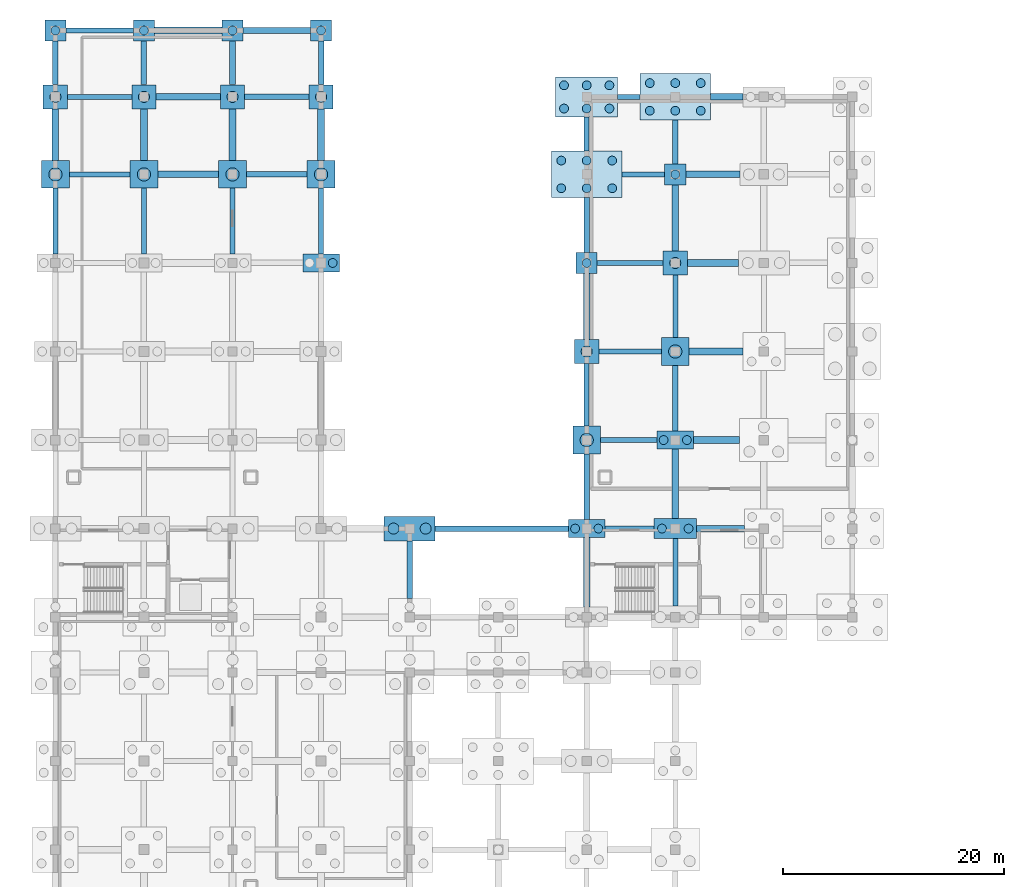
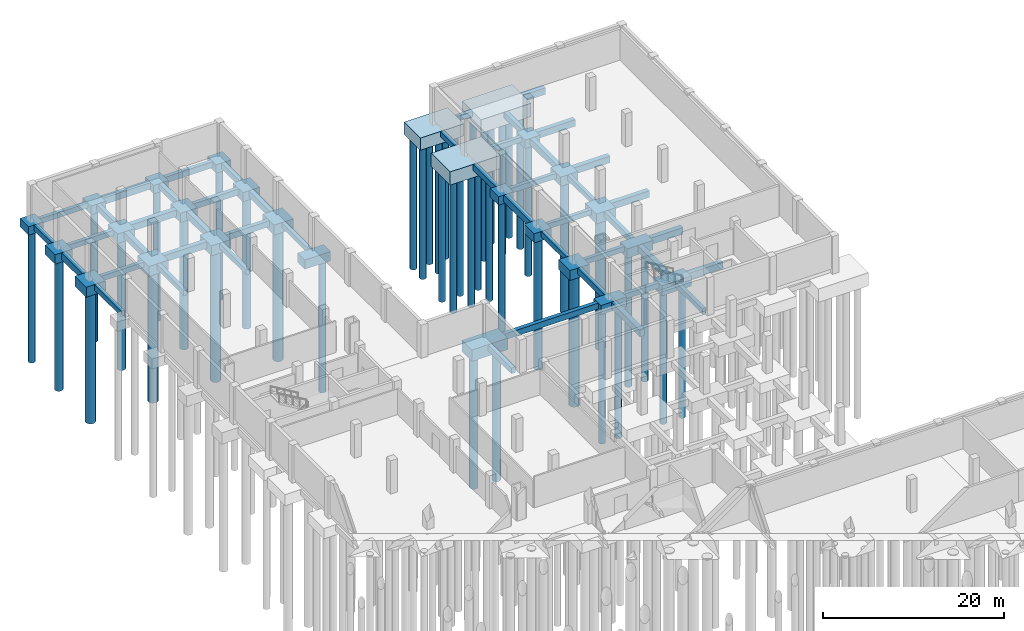
# One storey, part 7 of 26: 73 footings, 45 piles.
"""IFC4 building model written with IfcOpenShell, lengths in metres."""

from ifc_helpers import new_model, si_unit, direction, frame, origin, origin_2d, place, context, subcontext, project, spatial, rectangle, circle, extrude, material, layer, layer_set, material_profile, profile_set, type_object, element, save


model = new_model("IFC4")

# Units and contexts
model_context = context("Model", 3, precision=1e-05, world=origin(), true_north=direction((0.0, 1.0)))
body_context = subcontext(model_context, "Body", "Model", "MODEL_VIEW")
ifc_project = project(units=[si_unit("LENGTHUNIT", "METRE"), si_unit("AREAUNIT", "SQUARE_METRE"), si_unit("VOLUMEUNIT", "CUBIC_METRE"), si_unit("PLANEANGLEUNIT", "RADIAN"), si_unit("MASSUNIT", "GRAM", prefix="KILO")], contexts=[model_context])

# Site, building, storey
site_placement = place(None, origin())
site = spatial("IfcSite", under=ifc_project, at=site_placement, CompositionType="ELEMENT")
building_placement = place(site_placement, origin())
building = spatial("IfcBuilding", under=site, at=building_placement, Name="Qorikala Patio Media Centre", CompositionType="ELEMENT")
storey_placement = place(building_placement, frame((0.0, 0.0, -4.5)))
storey = spatial("IfcBuildingStorey", under=building, at=storey_placement, Name="B1", CompositionType="ELEMENT", Elevation=-4.5)

# Footings
ifc_material = material(Name="Concrete C30/37", Category="concrete")
ifc_material_profile_1 = material_profile(ifc_material, rectangle(XDim=0.449951171875, YDim=0.699951171875, at=origin_2d()), Name="RC 450x700")
ifc_profile_set_1 = profile_set([ifc_material_profile_1], Name="Concrete C30/37")
footing_type_1 = type_object("IfcFootingType", Name="GB-450X700", PredefinedType="FOOTING_BEAM", material=ifc_profile_set_1)
footing_1_placement = place(storey_placement, frame((52.64990234375, 72.0, -0.949951171875), z_axis=(1.0, 0.0, 0.0), x_axis=(0.0, 1.0, 0.0)))
element("IfcFooting", 1, at=footing_1_placement, inside=storey, type_object=footing_type_1, Name="Ground Tie Beam X-131", PredefinedType="FOOTING_BEAM", context=body_context, shape_type="SweptSolid", body=[
    extrude(rectangle(XDim=0.449951171875, YDim=0.699951171875, at=origin_2d()), origin(), (0.0, 0.0, 1.0), 4.4501953125),
])
footing_2_placement = place(storey_placement, frame((52.25, 80.0, -0.949951171875), z_axis=(1.0, 0.0, 0.0), x_axis=(0.0, 1.0, 0.0)))
element("IfcFooting", 2, at=footing_2_placement, inside=storey, type_object=footing_type_1, Name="Ground Tie Beam X-137", PredefinedType="FOOTING_BEAM", context=body_context, shape_type="SweptSolid", body=[
    extrude(rectangle(XDim=0.449951171875, YDim=0.699951171875, at=origin_2d()), origin(), (0.0, 0.0, 1.0), 5.10009765625),
])
footing_3_placement = place(storey_placement, frame((52.10009765625, 88.0, -0.949951171875), z_axis=(1.0, 0.0, 0.0), x_axis=(0.0, 1.0, 0.0)))
element("IfcFooting", 3, at=footing_3_placement, inside=storey, type_object=footing_type_1, Name="Ground Tie Beam X-143", PredefinedType="FOOTING_BEAM", context=body_context, shape_type="SweptSolid", body=[
    extrude(rectangle(XDim=0.449951171875, YDim=0.699951171875, at=origin_2d()), origin(), (0.0, 0.0, 1.0), 5.64990234375),
])
footing_4_placement = place(storey_placement, frame((51.949951171875, 96.0, -0.949951171875), z_axis=(1.0, 0.0, 0.0), x_axis=(0.0, 1.0, 0.0)))
element("IfcFooting", 4, at=footing_4_placement, inside=storey, type_object=footing_type_1, Name="Ground Tie Beam X-149", PredefinedType="FOOTING_BEAM", context=body_context, shape_type="SweptSolid", body=[
    extrude(rectangle(XDim=0.449951171875, YDim=0.699951171875, at=origin_2d()), origin(), (0.0, 0.0, 1.0), 5.949951171875),
])
footing_5_placement = place(storey_placement, frame((4.25, 104.0, -0.949951171875), z_axis=(1.0, 0.0, 0.0), x_axis=(0.0, 1.0, 0.0)))
element("IfcFooting", 5, at=footing_5_placement, inside=storey, type_object=footing_type_1, Name="Ground Tie Beam X-152", PredefinedType="FOOTING_BEAM", context=body_context, shape_type="SweptSolid", body=[
    extrude(rectangle(XDim=0.449951171875, YDim=0.699951171875, at=origin_2d()), origin(), (0.0, 0.0, 1.0), 5.5),
])
footing_6_placement = place(storey_placement, frame((54.199951171875, 104.0, -0.949951171875), z_axis=(1.0, 0.0, 0.0), x_axis=(0.0, 1.0, 0.0)))
element("IfcFooting", 6, at=footing_6_placement, inside=storey, type_object=footing_type_1, Name="Ground Tie Beam X-155", PredefinedType="FOOTING_BEAM", context=body_context, shape_type="SweptSolid", body=[
    extrude(rectangle(XDim=0.449951171875, YDim=0.699951171875, at=origin_2d()), origin(), (0.0, 0.0, 1.0), 3.85009765625),
])
footing_7_placement = place(storey_placement, frame((4.10009765625, 111.0, -0.949951171875), z_axis=(1.0, 0.0, 0.0), x_axis=(0.0, 1.0, 0.0)))
element("IfcFooting", 7, at=footing_7_placement, inside=storey, type_object=footing_type_1, Name="Ground Tie Beam X-158", PredefinedType="FOOTING_BEAM", context=body_context, shape_type="SweptSolid", body=[
    extrude(rectangle(XDim=0.449951171875, YDim=0.699951171875, at=origin_2d()), origin(), (0.0, 0.0, 1.0), 5.7998046875),
])
footing_8_placement = place(storey_placement, frame((53.800048828125, 111.0, -0.949951171875), z_axis=(1.0, 0.0, 0.0), x_axis=(0.0, 1.0, 0.0)))
element("IfcFooting", 8, at=footing_8_placement, inside=storey, type_object=footing_type_1, Name="Ground Tie Beam X-161", PredefinedType="FOOTING_BEAM", context=body_context, shape_type="SweptSolid", body=[
    extrude(rectangle(XDim=0.449951171875, YDim=0.699951171875, at=origin_2d()), origin(), (0.0, 0.0, 1.0), 2.0),
])
footing_9_placement = place(storey_placement, frame((3.949951171875, 117.0, -0.949951171875), z_axis=(1.0, 0.0, 0.0), x_axis=(0.0, 1.0, 0.0)))
element("IfcFooting", 9, at=footing_9_placement, inside=storey, type_object=footing_type_1, Name="Ground Tie Beam X-164", PredefinedType="FOOTING_BEAM", context=body_context, shape_type="SweptSolid", body=[
    extrude(rectangle(XDim=0.449951171875, YDim=0.699951171875, at=origin_2d()), origin(), (0.0, 0.0, 1.0), 6.10009765625),
])
for number, where, z_axis, x_axis, name in (
    (10, (3.0, 96.800048828125, -0.949951171875), (0.0, 1.0, 0.0), (-1.0, 0.0, 0.0), "Ground Tie Beam Y-179"),
    (11, (11.0, 96.800048828125, -0.949951171875), (0.0, 1.0, 0.0), (-1.0, 0.0, 0.0), "Ground Tie Beam Y-194"),
    (12, (19.0, 96.800048828125, -0.949951171875), (0.0, 1.0, 0.0), (-1.0, 0.0, 0.0), "Ground Tie Beam Y-209"),
    (13, (27.0, 96.800048828125, -0.949951171875), (0.0, 1.0, 0.0), (-1.0, 0.0, 0.0), "Ground Tie Beam Y-224"),
):
    element("IfcFooting", number, at=place(storey_placement, frame(where, z_axis=z_axis, x_axis=x_axis)), inside=storey, type_object=footing_type_1, Name=name, PredefinedType="FOOTING_BEAM", context=body_context, shape_type="SweptSolid", body=[
        extrude(rectangle(XDim=0.449951171875, YDim=0.699951171875, at=origin_2d()), origin(), (0.0, 0.0, 1.0), 5.949951171875),
    ])
footing_10_placement = place(storey_placement, frame((51.0, 81.25, -0.949951171875), z_axis=(0.0, 1.0, 0.0), x_axis=(-1.0, 0.0, 0.0)))
element("IfcFooting", 14, at=footing_10_placement, inside=storey, type_object=footing_type_1, Name="Ground Tie Beam Y-254", PredefinedType="FOOTING_BEAM", context=body_context, shape_type="SweptSolid", body=[
    extrude(rectangle(XDim=0.449951171875, YDim=0.699951171875, at=origin_2d()), origin(), (0.0, 0.0, 1.0), 5.64990234375),
])
footing_11_placement = place(storey_placement, frame((51.0, 106.10009765625, -0.949951171875), z_axis=(0.0, 1.0, 0.0), x_axis=(-1.0, 0.0, 0.0)))
element("IfcFooting", 15, at=footing_11_placement, inside=storey, type_object=footing_type_1, Name="Ground Tie Beam Y-257", PredefinedType="FOOTING_BEAM", context=body_context, shape_type="SweptSolid", body=[
    extrude(rectangle(XDim=0.449951171875, YDim=0.699951171875, at=origin_2d()), origin(), (0.0, 0.0, 1.0), 3.099853515625),
])
footing_12_placement = place(storey_placement, frame((59.0, 65.0, -0.949951171875), z_axis=(0.0, 1.0, 0.0), x_axis=(-1.0, 0.0, 0.0)))
element("IfcFooting", 16, at=footing_12_placement, inside=storey, type_object=footing_type_1, Name="Ground Tie Beam Y-266", PredefinedType="FOOTING_BEAM", context=body_context, shape_type="SweptSolid", body=[
    extrude(rectangle(XDim=0.449951171875, YDim=0.699951171875, at=origin_2d()), origin(), (0.0, 0.0, 1.0), 6.10009765625),
])
footing_13_placement = place(storey_placement, frame((59.0, 89.25, -0.949951171875), z_axis=(0.0, 1.0, 0.0), x_axis=(-1.0, 0.0, 0.0)))
element("IfcFooting", 17, at=footing_13_placement, inside=storey, type_object=footing_type_1, Name="Ground Tie Beam Y-269", PredefinedType="FOOTING_BEAM", context=body_context, shape_type="SweptSolid", body=[
    extrude(rectangle(XDim=0.449951171875, YDim=0.699951171875, at=origin_2d()), origin(), (0.0, 0.0, 1.0), 5.64990234375),
])
ifc_material_profile_2 = material_profile(ifc_material, rectangle(XDim=0.5, YDim=0.800048828125, at=origin_2d()), Name="RC 500x800")
ifc_profile_set_2 = profile_set([ifc_material_profile_2], Name="Concrete C30/37")
footing_type_2 = type_object("IfcFootingType", Name="GB-500X800", PredefinedType="FOOTING_BEAM", material=ifc_profile_set_2)
footing_14_placement = place(storey_placement, frame((37.300048828125, 72.0, -1.0), z_axis=(1.0, 0.0, 0.0), x_axis=(0.0, 1.0, 0.0)))
element("IfcFooting", 18, at=footing_14_placement, inside=storey, type_object=footing_type_2, Name="Ground Tie Beam X-130", PredefinedType="FOOTING_BEAM", context=body_context, shape_type="SweptSolid", body=[
    extrude(rectangle(XDim=0.5, YDim=0.800048828125, at=origin_2d()), origin(), (0.0, 0.0, 1.0), 12.050048828125),
])
footing_15_placement = place(storey_placement, frame((20.25, 104.0, -1.0), z_axis=(1.0, 0.0, 0.0), x_axis=(0.0, 1.0, 0.0)))
element("IfcFooting", 19, at=footing_15_placement, inside=storey, type_object=footing_type_2, Name="Ground Tie Beam X-154", PredefinedType="FOOTING_BEAM", context=body_context, shape_type="SweptSolid", body=[
    extrude(rectangle(XDim=0.5, YDim=0.800048828125, at=origin_2d()), origin(), (0.0, 0.0, 1.0), 5.5),
])
footing_16_placement = place(storey_placement, frame((20.10009765625, 111.0, -1.0), z_axis=(1.0, 0.0, 0.0), x_axis=(0.0, 1.0, 0.0)))
element("IfcFooting", 20, at=footing_16_placement, inside=storey, type_object=footing_type_2, Name="Ground Tie Beam X-160", PredefinedType="FOOTING_BEAM", context=body_context, shape_type="SweptSolid", body=[
    extrude(rectangle(XDim=0.5, YDim=0.800048828125, at=origin_2d()), origin(), (0.0, 0.0, 1.0), 5.7998046875),
])
footing_17_placement = place(storey_placement, frame((19.949951171875, 117.0, -1.0), z_axis=(1.0, 0.0, 0.0), x_axis=(0.0, 1.0, 0.0)))
element("IfcFooting", 21, at=footing_17_placement, inside=storey, type_object=footing_type_2, Name="Ground Tie Beam X-166", PredefinedType="FOOTING_BEAM", context=body_context, shape_type="SweptSolid", body=[
    extrude(rectangle(XDim=0.5, YDim=0.800048828125, at=origin_2d()), origin(), (0.0, 0.0, 1.0), 6.10009765625),
])
for number, where, z_axis, x_axis, name in (
    (22, (3.0, 112.10009765625, -1.0), (0.0, 1.0, 0.0), (-1.0, 0.0, 0.0), "Ground Tie Beam Y-181"),
    (23, (11.0, 112.10009765625, -1.0), (0.0, 1.0, 0.0), (-1.0, 0.0, 0.0), "Ground Tie Beam Y-196"),
    (24, (19.0, 112.10009765625, -1.0), (0.0, 1.0, 0.0), (-1.0, 0.0, 0.0), "Ground Tie Beam Y-211"),
    (25, (27.0, 112.10009765625, -1.0), (0.0, 1.0, 0.0), (-1.0, 0.0, 0.0), "Ground Tie Beam Y-226"),
):
    element("IfcFooting", number, at=place(storey_placement, frame(where, z_axis=z_axis, x_axis=x_axis)), inside=storey, type_object=footing_type_2, Name=name, PredefinedType="FOOTING_BEAM", context=body_context, shape_type="SweptSolid", body=[
        extrude(rectangle(XDim=0.5, YDim=0.800048828125, at=origin_2d()), origin(), (0.0, 0.0, 1.0), 3.949951171875),
    ])
footing_18_placement = place(storey_placement, frame((35.0, 65.699951171875, -1.0), z_axis=(0.0, 1.0, 0.0), x_axis=(-1.0, 0.0, 0.0)))
element("IfcFooting", 26, at=footing_18_placement, inside=storey, type_object=footing_type_2, Name="Ground Tie Beam Y-235", PredefinedType="FOOTING_BEAM", context=body_context, shape_type="SweptSolid", body=[
    extrude(rectangle(XDim=0.5, YDim=0.800048828125, at=origin_2d()), origin(), (0.0, 0.0, 1.0), 5.199951171875),
])
footing_19_placement = place(storey_placement, frame((51.0, 72.800048828125, -1.0), z_axis=(0.0, 1.0, 0.0), x_axis=(-1.0, 0.0, 0.0)))
element("IfcFooting", 27, at=footing_19_placement, inside=storey, type_object=footing_type_2, Name="Ground Tie Beam Y-253", PredefinedType="FOOTING_BEAM", context=body_context, shape_type="SweptSolid", body=[
    extrude(rectangle(XDim=0.5, YDim=0.800048828125, at=origin_2d()), origin(), (0.0, 0.0, 1.0), 5.949951171875),
])
footing_20_placement = place(storey_placement, frame((51.0, 96.949951171875, -1.0), z_axis=(0.0, 1.0, 0.0), x_axis=(-1.0, 0.0, 0.0)))
element("IfcFooting", 28, at=footing_20_placement, inside=storey, type_object=footing_type_2, Name="Ground Tie Beam Y-256", PredefinedType="FOOTING_BEAM", context=body_context, shape_type="SweptSolid", body=[
    extrude(rectangle(XDim=0.5, YDim=0.800048828125, at=origin_2d()), origin(), (0.0, 0.0, 1.0), 4.949951171875),
])
footing_21_placement = place(storey_placement, frame((59.0, 80.800048828125, -1.0), z_axis=(0.0, 1.0, 0.0), x_axis=(-1.0, 0.0, 0.0)))
element("IfcFooting", 29, at=footing_21_placement, inside=storey, type_object=footing_type_2, Name="Ground Tie Beam Y-268", PredefinedType="FOOTING_BEAM", context=body_context, shape_type="SweptSolid", body=[
    extrude(rectangle(XDim=0.5, YDim=0.800048828125, at=origin_2d()), origin(), (0.0, 0.0, 1.0), 5.949951171875),
])
footing_22_placement = place(storey_placement, frame((59.0, 104.949951171875, -1.0), z_axis=(0.0, 1.0, 0.0), x_axis=(-1.0, 0.0, 0.0)))
element("IfcFooting", 30, at=footing_22_placement, inside=storey, type_object=footing_type_2, Name="Ground Tie Beam Y-271", PredefinedType="FOOTING_BEAM", context=body_context, shape_type="SweptSolid", body=[
    extrude(rectangle(XDim=0.5, YDim=0.800048828125, at=origin_2d()), origin(), (0.0, 0.0, 1.0), 3.949951171875),
])
ifc_material_profile_3 = material_profile(ifc_material, rectangle(XDim=0.60009765625, YDim=0.89990234375, at=origin_2d()), Name="RC 600x900")
ifc_profile_set_3 = profile_set([ifc_material_profile_3], Name="Concrete C30/37")
footing_type_3 = type_object("IfcFootingType", Name="GB-600X900", PredefinedType="FOOTING_BEAM", material=ifc_profile_set_3)
footing_23_placement = place(storey_placement, frame((60.89990234375, 72.0, -1.050048828125), z_axis=(1.0, 0.0, 0.0), x_axis=(0.0, 1.0, 0.0)))
element("IfcFooting", 31, at=footing_23_placement, inside=storey, type_object=footing_type_3, Name="Ground Tie Beam X-132", PredefinedType="FOOTING_BEAM", context=body_context, shape_type="SweptSolid", body=[
    extrude(rectangle(XDim=0.60009765625, YDim=0.89990234375, at=origin_2d()), origin(), (0.0, 0.0, 1.0), 4.35009765625),
])
footing_24_placement = place(storey_placement, frame((60.64990234375, 80.0, -1.050048828125), z_axis=(1.0, 0.0, 0.0), x_axis=(0.0, 1.0, 0.0)))
element("IfcFooting", 32, at=footing_24_placement, inside=storey, type_object=footing_type_3, Name="Ground Tie Beam X-138", PredefinedType="FOOTING_BEAM", context=body_context, shape_type="SweptSolid", body=[
    extrude(rectangle(XDim=0.60009765625, YDim=0.89990234375, at=origin_2d()), origin(), (0.0, 0.0, 1.0), 4.150146484375),
])
footing_25_placement = place(storey_placement, frame((60.25, 88.0, -1.050048828125), z_axis=(1.0, 0.0, 0.0), x_axis=(0.0, 1.0, 0.0)))
element("IfcFooting", 33, at=footing_25_placement, inside=storey, type_object=footing_type_3, Name="Ground Tie Beam X-144", PredefinedType="FOOTING_BEAM", context=body_context, shape_type="SweptSolid", body=[
    extrude(rectangle(XDim=0.60009765625, YDim=0.89990234375, at=origin_2d()), origin(), (0.0, 0.0, 1.0), 4.85009765625),
])
footing_26_placement = place(storey_placement, frame((60.10009765625, 96.0, -1.050048828125), z_axis=(1.0, 0.0, 0.0), x_axis=(0.0, 1.0, 0.0)))
element("IfcFooting", 34, at=footing_26_placement, inside=storey, type_object=footing_type_3, Name="Ground Tie Beam X-150", PredefinedType="FOOTING_BEAM", context=body_context, shape_type="SweptSolid", body=[
    extrude(rectangle(XDim=0.60009765625, YDim=0.89990234375, at=origin_2d()), origin(), (0.0, 0.0, 1.0), 4.599853515625),
])
footing_27_placement = place(storey_placement, frame((12.25, 104.0, -1.050048828125), z_axis=(1.0, 0.0, 0.0), x_axis=(0.0, 1.0, 0.0)))
element("IfcFooting", 35, at=footing_27_placement, inside=storey, type_object=footing_type_3, Name="Ground Tie Beam X-153", PredefinedType="FOOTING_BEAM", context=body_context, shape_type="SweptSolid", body=[
    extrude(rectangle(XDim=0.60009765625, YDim=0.89990234375, at=origin_2d()), origin(), (0.0, 0.0, 1.0), 5.5),
])
footing_28_placement = place(storey_placement, frame((59.949951171875, 104.0, -1.050048828125), z_axis=(1.0, 0.0, 0.0), x_axis=(0.0, 1.0, 0.0)))
element("IfcFooting", 36, at=footing_28_placement, inside=storey, type_object=footing_type_3, Name="Ground Tie Beam X-156", PredefinedType="FOOTING_BEAM", context=body_context, shape_type="SweptSolid", body=[
    extrude(rectangle(XDim=0.60009765625, YDim=0.89990234375, at=origin_2d()), origin(), (0.0, 0.0, 1.0), 4.900146484375),
])
footing_29_placement = place(storey_placement, frame((12.10009765625, 111.0, -1.050048828125), z_axis=(1.0, 0.0, 0.0), x_axis=(0.0, 1.0, 0.0)))
element("IfcFooting", 37, at=footing_29_placement, inside=storey, type_object=footing_type_3, Name="Ground Tie Beam X-159", PredefinedType="FOOTING_BEAM", context=body_context, shape_type="SweptSolid", body=[
    extrude(rectangle(XDim=0.60009765625, YDim=0.89990234375, at=origin_2d()), origin(), (0.0, 0.0, 1.0), 5.7998046875),
])
footing_30_placement = place(storey_placement, frame((62.199951171875, 111.0, -1.050048828125), z_axis=(1.0, 0.0, 0.0), x_axis=(0.0, 1.0, 0.0)))
element("IfcFooting", 38, at=footing_30_placement, inside=storey, type_object=footing_type_3, Name="Ground Tie Beam X-162", PredefinedType="FOOTING_BEAM", context=body_context, shape_type="SweptSolid", body=[
    extrude(rectangle(XDim=0.60009765625, YDim=0.89990234375, at=origin_2d()), origin(), (0.0, 0.0, 1.0), 2.900146484375),
])
footing_31_placement = place(storey_placement, frame((11.949951171875, 117.0, -1.050048828125), z_axis=(1.0, 0.0, 0.0), x_axis=(0.0, 1.0, 0.0)))
element("IfcFooting", 39, at=footing_31_placement, inside=storey, type_object=footing_type_3, Name="Ground Tie Beam X-165", PredefinedType="FOOTING_BEAM", context=body_context, shape_type="SweptSolid", body=[
    extrude(rectangle(XDim=0.60009765625, YDim=0.89990234375, at=origin_2d()), origin(), (0.0, 0.0, 1.0), 6.10009765625),
])
for number, where, z_axis, x_axis, name in (
    (40, (3.0, 105.25, -1.050048828125), (0.0, 1.0, 0.0), (-1.0, 0.0, 0.0), "Ground Tie Beam Y-180"),
    (41, (11.0, 105.25, -1.050048828125), (0.0, 1.0, 0.0), (-1.0, 0.0, 0.0), "Ground Tie Beam Y-195"),
    (42, (19.0, 105.25, -1.050048828125), (0.0, 1.0, 0.0), (-1.0, 0.0, 0.0), "Ground Tie Beam Y-210"),
    (43, (27.0, 105.25, -1.050048828125), (0.0, 1.0, 0.0), (-1.0, 0.0, 0.0), "Ground Tie Beam Y-225"),
):
    element("IfcFooting", number, at=place(storey_placement, frame(where, z_axis=z_axis, x_axis=x_axis)), inside=storey, type_object=footing_type_3, Name=name, PredefinedType="FOOTING_BEAM", context=body_context, shape_type="SweptSolid", body=[
        extrude(rectangle(XDim=0.60009765625, YDim=0.89990234375, at=origin_2d()), origin(), (0.0, 0.0, 1.0), 4.64990234375),
    ])
footing_32_placement = place(storey_placement, frame((51.0, 64.89990234375, -1.050048828125), z_axis=(0.0, 1.0, 0.0), x_axis=(-1.0, 0.0, 0.0)))
element("IfcFooting", 44, at=footing_32_placement, inside=storey, type_object=footing_type_3, Name="Ground Tie Beam Y-252", PredefinedType="FOOTING_BEAM", context=body_context, shape_type="SweptSolid", body=[
    extrude(rectangle(XDim=0.60009765625, YDim=0.89990234375, at=origin_2d()), origin(), (0.0, 0.0, 1.0), 6.300048828125),
])
footing_33_placement = place(storey_placement, frame((51.0, 89.10009765625, -1.050048828125), z_axis=(0.0, 1.0, 0.0), x_axis=(-1.0, 0.0, 0.0)))
element("IfcFooting", 45, at=footing_33_placement, inside=storey, type_object=footing_type_3, Name="Ground Tie Beam Y-255", PredefinedType="FOOTING_BEAM", context=body_context, shape_type="SweptSolid", body=[
    extrude(rectangle(XDim=0.60009765625, YDim=0.89990234375, at=origin_2d()), origin(), (0.0, 0.0, 1.0), 5.949951171875),
])
footing_34_placement = place(storey_placement, frame((59.0, 72.89990234375, -1.050048828125), z_axis=(0.0, 1.0, 0.0), x_axis=(-1.0, 0.0, 0.0)))
element("IfcFooting", 46, at=footing_34_placement, inside=storey, type_object=footing_type_3, Name="Ground Tie Beam Y-267", PredefinedType="FOOTING_BEAM", context=body_context, shape_type="SweptSolid", body=[
    extrude(rectangle(XDim=0.60009765625, YDim=0.89990234375, at=origin_2d()), origin(), (0.0, 0.0, 1.0), 6.300048828125),
])
footing_35_placement = place(storey_placement, frame((59.0, 97.10009765625, -1.050048828125), z_axis=(0.0, 1.0, 0.0), x_axis=(-1.0, 0.0, 0.0)))
element("IfcFooting", 47, at=footing_35_placement, inside=storey, type_object=footing_type_3, Name="Ground Tie Beam Y-270", PredefinedType="FOOTING_BEAM", context=body_context, shape_type="SweptSolid", body=[
    extrude(rectangle(XDim=0.60009765625, YDim=0.89990234375, at=origin_2d()), origin(), (0.0, 0.0, 1.0), 5.949951171875),
])
ifc_layer_1 = layer(ifc_material, 1.14990234375)
ifc_layer_set_1 = layer_set([ifc_layer_1], Name="Concrete C30/37")
footing_type_4 = type_object("IfcFootingType", Name="PC-1A", PredefinedType="PILE_CAP", material=ifc_layer_set_1)
for number, where, z_axis, x_axis, name in (
    (48, (3.0, 117.0, -1.75), (0.0, 0.0, 1.0), (1.0, 0.0, 0.0), "Pile Cap PC-1A at (3.0,117.0)"),
    (49, (11.0, 117.0, -1.75), (0.0, 0.0, 1.0), (1.0, 0.0, 0.0), "Pile Cap PC-1A at (11.0,117.0)"),
    (50, (19.0, 117.0, -1.75), (0.0, 0.0, 1.0), (1.0, 0.0, 0.0), "Pile Cap PC-1A at (19.0,117.0)"),
    (51, (27.0, 117.0, -1.75), (0.0, 0.0, 1.0), (1.0, 0.0, 0.0), "Pile Cap PC-1A at (27.0,117.0)"),
    (52, (51.0, 96.0, -1.75), (0.0, 0.0, 1.0), (1.0, 0.0, 0.0), "Pile Cap PC-1A at (51.0,96.0)"),
    (53, (59.0, 104.0, -1.75), (0.0, 0.0, 1.0), (1.0, 0.0, 0.0), "Pile Cap PC-1A at (59.0,104.0)"),
):
    element("IfcFooting", number, at=place(storey_placement, frame(where, z_axis=z_axis, x_axis=x_axis)), inside=storey, type_object=footing_type_4, Name=name, PredefinedType="PILE_CAP", context=body_context, shape_type="SweptSolid", body=[
        extrude(rectangle(XDim=1.89990234375, YDim=1.89990234375, at=origin_2d()), origin(), (0.0, 0.0, 1.0), 1.14990234375),
    ])
ifc_layer_2 = layer(ifc_material, 1.25)
ifc_layer_set_2 = layer_set([ifc_layer_2], Name="Concrete C30/37")
footing_type_5 = type_object("IfcFootingType", Name="PC-1B", PredefinedType="PILE_CAP", material=ifc_layer_set_2)
for number, where, z_axis, x_axis, name in (
    (54, (3.0, 111.0, -1.85009765625), (0.0, 0.0, 1.0), (1.0, 0.0, 0.0), "Pile Cap PC-1B at (3.0,111.0)"),
    (55, (11.0, 111.0, -1.85009765625), (0.0, 0.0, 1.0), (1.0, 0.0, 0.0), "Pile Cap PC-1B at (11.0,111.0)"),
    (56, (19.0, 111.0, -1.85009765625), (0.0, 0.0, 1.0), (1.0, 0.0, 0.0), "Pile Cap PC-1B at (19.0,111.0)"),
    (57, (27.0, 111.0, -1.85009765625), (0.0, 0.0, 1.0), (1.0, 0.0, 0.0), "Pile Cap PC-1B at (27.0,111.0)"),
    (58, (51.0, 88.0, -1.85009765625), (0.0, 0.0, 1.0), (1.0, 0.0, 0.0), "Pile Cap PC-1B at (51.0,88.0)"),
    (59, (59.0, 96.0, -1.85009765625), (0.0, 0.0, 1.0), (1.0, 0.0, 0.0), "Pile Cap PC-1B at (59.0,96.0)"),
):
    element("IfcFooting", number, at=place(storey_placement, frame(where, z_axis=z_axis, x_axis=x_axis)), inside=storey, type_object=footing_type_5, Name=name, PredefinedType="PILE_CAP", context=body_context, shape_type="SweptSolid", body=[
        extrude(rectangle(XDim=2.199951171875, YDim=2.199951171875, at=origin_2d()), origin(), (0.0, 0.0, 1.0), 1.25),
    ])
ifc_layer_3 = layer(ifc_material, 1.35009765625)
ifc_layer_set_3 = layer_set([ifc_layer_3], Name="Concrete C30/37")
footing_type_6 = type_object("IfcFootingType", Name="PC-1C", PredefinedType="PILE_CAP", material=ifc_layer_set_3)
for number, where, z_axis, x_axis, name in (
    (60, (3.0, 104.0, -1.949951171875), (0.0, 0.0, 1.0), (1.0, 0.0, 0.0), "Pile Cap PC-1C at (3.0,104.0)"),
    (61, (11.0, 104.0, -1.949951171875), (0.0, 0.0, 1.0), (1.0, 0.0, 0.0), "Pile Cap PC-1C at (11.0,104.0)"),
    (62, (19.0, 104.0, -1.949951171875), (0.0, 0.0, 1.0), (1.0, 0.0, 0.0), "Pile Cap PC-1C at (19.0,104.0)"),
    (63, (27.0, 104.0, -1.949951171875), (0.0, 0.0, 1.0), (1.0, 0.0, 0.0), "Pile Cap PC-1C at (27.0,104.0)"),
    (64, (51.0, 80.0, -1.949951171875), (0.0, 0.0, 1.0), (1.0, 0.0, 0.0), "Pile Cap PC-1C at (51.0,80.0)"),
    (65, (59.0, 88.0, -1.949951171875), (0.0, 0.0, 1.0), (1.0, 0.0, 0.0), "Pile Cap PC-1C at (59.0,88.0)"),
):
    element("IfcFooting", number, at=place(storey_placement, frame(where, z_axis=z_axis, x_axis=x_axis)), inside=storey, type_object=footing_type_6, Name=name, PredefinedType="PILE_CAP", context=body_context, shape_type="SweptSolid", body=[
        extrude(rectangle(XDim=2.5, YDim=2.5, at=origin_2d()), origin(), (0.0, 0.0, 1.0), 1.35009765625),
    ])
ifc_layer_4 = layer(ifc_material, 1.25)
ifc_layer_set_4 = layer_set([ifc_layer_4], Name="Concrete C30/37")
footing_type_7 = type_object("IfcFootingType", Name="PC-2A", PredefinedType="PILE_CAP", material=ifc_layer_set_4)
for number, where, z_axis, x_axis, name in (
    (66, (27.0, 96.0, -1.85009765625), (0.0, 0.0, 1.0), (1.0, 0.0, 0.0), "Pile Cap PC-2A at (27.0,96.0)"),
    (67, (51.0, 72.0, -1.85009765625), (0.0, 0.0, 1.0), (1.0, 0.0, 0.0), "Pile Cap PC-2A at (51.0,72.0)"),
    (68, (59.0, 80.0, -1.85009765625), (0.0, 0.0, 1.0), (1.0, 0.0, 0.0), "Pile Cap PC-2A at (59.0,80.0)"),
):
    element("IfcFooting", number, at=place(storey_placement, frame(where, z_axis=z_axis, x_axis=x_axis)), inside=storey, type_object=footing_type_7, Name=name, PredefinedType="PILE_CAP", context=body_context, shape_type="SweptSolid", body=[
        extrude(rectangle(XDim=3.300048828125, YDim=1.60009765625, at=origin_2d()), origin(), (0.0, 0.0, 1.0), 1.25),
    ])
ifc_layer_5 = layer(ifc_material, 1.35009765625)
ifc_layer_set_5 = layer_set([ifc_layer_5], Name="Concrete C30/37")
footing_type_8 = type_object("IfcFootingType", Name="PC-2B", PredefinedType="PILE_CAP", material=ifc_layer_set_5)
footing_36_placement = place(storey_placement, frame((59.0, 72.0, -1.949951171875), z_axis=(0.0, 0.0, 1.0), x_axis=(1.0, 0.0, 0.0)))
element("IfcFooting", 69, at=footing_36_placement, inside=storey, type_object=footing_type_8, Name="Pile Cap PC-2B at (59.0,72.0)", PredefinedType="PILE_CAP", context=body_context, shape_type="SweptSolid", body=[
    extrude(rectangle(XDim=3.800048828125, YDim=1.800048828125, at=origin_2d()), origin(), (0.0, 0.0, 1.0), 1.35009765625),
])
ifc_layer_6 = layer(ifc_material, 1.550048828125)
ifc_layer_set_6 = layer_set([ifc_layer_6], Name="Concrete C30/37")
footing_type_9 = type_object("IfcFootingType", Name="PC-2D", PredefinedType="PILE_CAP", material=ifc_layer_set_6)
footing_37_placement = place(storey_placement, frame((35.0, 72.0, -2.14990234375), z_axis=(0.0, 0.0, 1.0), x_axis=(1.0, 0.0, 0.0)))
element("IfcFooting", 70, at=footing_37_placement, inside=storey, type_object=footing_type_9, Name="Pile Cap PC-2D at (35.0,72.0)", PredefinedType="PILE_CAP", context=body_context, shape_type="SweptSolid", body=[
    extrude(rectangle(XDim=4.60009765625, YDim=2.199951171875, at=origin_2d()), origin(), (0.0, 0.0, 1.0), 1.550048828125),
])
ifc_layer_7 = layer(ifc_material, 1.64990234375)
ifc_layer_set_7 = layer_set([ifc_layer_7], Name="Concrete C30/37")
footing_type_10 = type_object("IfcFootingType", Name="PC-6A", PredefinedType="PILE_CAP", material=ifc_layer_set_7)
footing_38_placement = place(storey_placement, frame((51.0, 111.0, -2.25), z_axis=(0.0, 0.0, 1.0), x_axis=(1.0, 0.0, 0.0)))
element("IfcFooting", 71, at=footing_38_placement, inside=storey, type_object=footing_type_10, Name="Pile Cap PC-6A at (51.0,111.0)", PredefinedType="PILE_CAP", context=body_context, shape_type="SweptSolid", body=[
    extrude(rectangle(XDim=5.60009765625, YDim=3.60009765625, at=origin_2d()), origin(), (0.0, 0.0, 1.0), 1.64990234375),
])
ifc_layer_8 = layer(ifc_material, 1.800048828125)
ifc_layer_set_8 = layer_set([ifc_layer_8], Name="Concrete C30/37")
footing_type_11 = type_object("IfcFootingType", Name="PC-6B", PredefinedType="PILE_CAP", material=ifc_layer_set_8)
for number, where, z_axis, x_axis, name in (
    (72, (51.0, 104.0, -2.39990234375), (0.0, 0.0, 1.0), (1.0, 0.0, 0.0), "Pile Cap PC-6B at (51.0,104.0)"),
    (73, (59.0, 111.0, -2.39990234375), (0.0, 0.0, 1.0), (1.0, 0.0, 0.0), "Pile Cap PC-6B at (59.0,111.0)"),
):
    element("IfcFooting", number, at=place(storey_placement, frame(where, z_axis=z_axis, x_axis=x_axis)), inside=storey, type_object=footing_type_11, Name=name, PredefinedType="PILE_CAP", context=body_context, shape_type="SweptSolid", body=[
        extrude(rectangle(XDim=6.39990234375, YDim=4.199951171875, at=origin_2d()), origin(), (0.0, 0.0, 1.0), 1.800048828125),
    ])

# Piles
ifc_material_profile_4 = material_profile(ifc_material, circle(Radius=0.5, at=origin_2d()), Name="BORED PILE 1000")
ifc_profile_set_4 = profile_set([ifc_material_profile_4], Name="Concrete C30/37")
pile_type_1 = type_object("IfcPileType", Name="PILE-1000", PredefinedType="BORED", material=ifc_profile_set_4)
for number, where, z_axis, x_axis, name in (
    (74, (3.0, 111.0, -1.75), (0.0, 0.0, -1.0), (1.0, 0.0, 0.0), "Bored Pile 0049"),
    (75, (11.0, 111.0, -1.75), (0.0, 0.0, -1.0), (1.0, 0.0, 0.0), "Bored Pile 0099"),
    (76, (19.0, 111.0, -1.75), (0.0, 0.0, -1.0), (1.0, 0.0, 0.0), "Bored Pile 0149"),
    (77, (27.0, 111.0, -1.75), (0.0, 0.0, -1.0), (1.0, 0.0, 0.0), "Bored Pile 0199"),
    (78, (33.550048828125, 72.0, -2.050048828125), (0.0, 0.0, -1.0), (1.0, 0.0, 0.0), "Bored Pile 0240"),
    (79, (36.449951171875, 72.0, -2.050048828125), (0.0, 0.0, -1.0), (1.0, 0.0, 0.0), "Bored Pile 0241"),
    (80, (51.0, 88.0, -1.75), (0.0, 0.0, -1.0), (1.0, 0.0, 0.0), "Bored Pile 0298"),
    (81, (59.0, 96.0, -1.75), (0.0, 0.0, -1.0), (1.0, 0.0, 0.0), "Bored Pile 0348"),
):
    element("IfcPile", number, at=place(storey_placement, frame(where, z_axis=z_axis, x_axis=x_axis)), inside=storey, type_object=pile_type_1, Name=name, PredefinedType="BORED", context=body_context, shape_type="SweptSolid", body=[
        extrude(circle(Radius=0.5, at=origin_2d()), origin(), (0.0, 0.0, 1.0), 18.0),
    ])
ifc_material_profile_5 = material_profile(ifc_material, circle(Radius=0.60009765625, at=origin_2d()), Name="BORED PILE 1200")
ifc_profile_set_5 = profile_set([ifc_material_profile_5], Name="Concrete C30/37")
pile_type_2 = type_object("IfcPileType", Name="PILE-1200", PredefinedType="BORED", material=ifc_profile_set_5)
for number, where, z_axis, x_axis, name in (
    (82, (3.0, 104.0, -1.85009765625), (0.0, 0.0, -1.0), (1.0, 0.0, 0.0), "Bored Pile 0048"),
    (83, (11.0, 104.0, -1.85009765625), (0.0, 0.0, -1.0), (1.0, 0.0, 0.0), "Bored Pile 0098"),
    (84, (19.0, 104.0, -1.85009765625), (0.0, 0.0, -1.0), (1.0, 0.0, 0.0), "Bored Pile 0148"),
    (85, (27.0, 104.0, -1.85009765625), (0.0, 0.0, -1.0), (1.0, 0.0, 0.0), "Bored Pile 0198"),
    (86, (51.0, 80.0, -1.85009765625), (0.0, 0.0, -1.0), (1.0, 0.0, 0.0), "Bored Pile 0297"),
    (87, (59.0, 88.0, -1.85009765625), (0.0, 0.0, -1.0), (1.0, 0.0, 0.0), "Bored Pile 0347"),
):
    element("IfcPile", number, at=place(storey_placement, frame(where, z_axis=z_axis, x_axis=x_axis)), inside=storey, type_object=pile_type_2, Name=name, PredefinedType="BORED", context=body_context, shape_type="SweptSolid", body=[
        extrude(circle(Radius=0.60009765625, at=origin_2d()), origin(), (0.0, 0.0, 1.0), 18.0),
    ])
ifc_material_profile_6 = material_profile(ifc_material, circle(Radius=0.39990234375, at=origin_2d()), Name="BORED PILE 800")
ifc_profile_set_6 = profile_set([ifc_material_profile_6], Name="Concrete C30/37")
pile_type_3 = type_object("IfcPileType", Name="PILE-800", PredefinedType="BORED", material=ifc_profile_set_6)
for number, where, z_axis, x_axis, name in (
    (88, (3.0, 117.0, -1.64990234375), (0.0, 0.0, -1.0), (1.0, 0.0, 0.0), "Bored Pile 0050"),
    (89, (11.0, 117.0, -1.64990234375), (0.0, 0.0, -1.0), (1.0, 0.0, 0.0), "Bored Pile 0100"),
    (90, (19.0, 117.0, -1.64990234375), (0.0, 0.0, -1.0), (1.0, 0.0, 0.0), "Bored Pile 0150"),
    (91, (28.050048828125, 96.0, -1.75), (0.0, 0.0, -1.0), (1.0, 0.0, 0.0), "Bored Pile 0197"),
    (92, (27.0, 117.0, -1.64990234375), (0.0, 0.0, -1.0), (1.0, 0.0, 0.0), "Bored Pile 0200"),
    (93, (49.949951171875, 72.0, -1.75), (0.0, 0.0, -1.0), (1.0, 0.0, 0.0), "Bored Pile 0295"),
    (94, (52.050048828125, 72.0, -1.75), (0.0, 0.0, -1.0), (1.0, 0.0, 0.0), "Bored Pile 0296"),
    (95, (51.0, 96.0, -1.64990234375), (0.0, 0.0, -1.0), (1.0, 0.0, 0.0), "Bored Pile 0299"),
    (96, (48.699951171875, 102.75, -2.300048828125), (0.0, 0.0, -1.0), (1.0, 0.0, 0.0), "Bored Pile 0300"),
    (97, (51.0, 102.75, -2.300048828125), (0.0, 0.0, -1.0), (1.0, 0.0, 0.0), "Bored Pile 0301"),
    (98, (53.300048828125, 102.75, -2.300048828125), (0.0, 0.0, -1.0), (1.0, 0.0, 0.0), "Bored Pile 0302"),
    (99, (48.699951171875, 105.25, -2.300048828125), (0.0, 0.0, -1.0), (1.0, 0.0, 0.0), "Bored Pile 0303"),
    (100, (51.0, 105.25, -2.300048828125), (0.0, 0.0, -1.0), (1.0, 0.0, 0.0), "Bored Pile 0304"),
    (101, (53.300048828125, 105.25, -2.300048828125), (0.0, 0.0, -1.0), (1.0, 0.0, 0.0), "Bored Pile 0305"),
    (102, (48.949951171875, 109.949951171875, -2.14990234375), (0.0, 0.0, -1.0), (1.0, 0.0, 0.0), "Bored Pile 0306"),
    (103, (51.0, 109.949951171875, -2.14990234375), (0.0, 0.0, -1.0), (1.0, 0.0, 0.0), "Bored Pile 0307"),
    (104, (53.050048828125, 109.949951171875, -2.14990234375), (0.0, 0.0, -1.0), (1.0, 0.0, 0.0), "Bored Pile 0308"),
    (105, (48.949951171875, 112.050048828125, -2.14990234375), (0.0, 0.0, -1.0), (1.0, 0.0, 0.0), "Bored Pile 0309"),
    (106, (51.0, 112.050048828125, -2.14990234375), (0.0, 0.0, -1.0), (1.0, 0.0, 0.0), "Bored Pile 0310"),
    (107, (53.050048828125, 112.050048828125, -2.14990234375), (0.0, 0.0, -1.0), (1.0, 0.0, 0.0), "Bored Pile 0311"),
    (108, (57.800048828125, 72.0, -1.85009765625), (0.0, 0.0, -1.0), (1.0, 0.0, 0.0), "Bored Pile 0343"),
    (109, (60.199951171875, 72.0, -1.85009765625), (0.0, 0.0, -1.0), (1.0, 0.0, 0.0), "Bored Pile 0344"),
    (110, (57.949951171875, 80.0, -1.75), (0.0, 0.0, -1.0), (1.0, 0.0, 0.0), "Bored Pile 0345"),
    (111, (60.050048828125, 80.0, -1.75), (0.0, 0.0, -1.0), (1.0, 0.0, 0.0), "Bored Pile 0346"),
    (112, (59.0, 104.0, -1.64990234375), (0.0, 0.0, -1.0), (1.0, 0.0, 0.0), "Bored Pile 0349"),
    (113, (56.699951171875, 109.75, -2.300048828125), (0.0, 0.0, -1.0), (1.0, 0.0, 0.0), "Bored Pile 0350"),
    (114, (59.0, 109.75, -2.300048828125), (0.0, 0.0, -1.0), (1.0, 0.0, 0.0), "Bored Pile 0351"),
    (115, (61.300048828125, 109.75, -2.300048828125), (0.0, 0.0, -1.0), (1.0, 0.0, 0.0), "Bored Pile 0352"),
    (116, (56.699951171875, 112.25, -2.300048828125), (0.0, 0.0, -1.0), (1.0, 0.0, 0.0), "Bored Pile 0353"),
    (117, (59.0, 112.25, -2.300048828125), (0.0, 0.0, -1.0), (1.0, 0.0, 0.0), "Bored Pile 0354"),
    (118, (61.300048828125, 112.25, -2.300048828125), (0.0, 0.0, -1.0), (1.0, 0.0, 0.0), "Bored Pile 0355"),
):
    element("IfcPile", number, at=place(storey_placement, frame(where, z_axis=z_axis, x_axis=x_axis)), inside=storey, type_object=pile_type_3, Name=name, PredefinedType="BORED", context=body_context, shape_type="SweptSolid", body=[
        extrude(circle(Radius=0.39990234375, at=origin_2d()), origin(), (0.0, 0.0, 1.0), 18.0),
    ])

save(model, "model.ifc")
